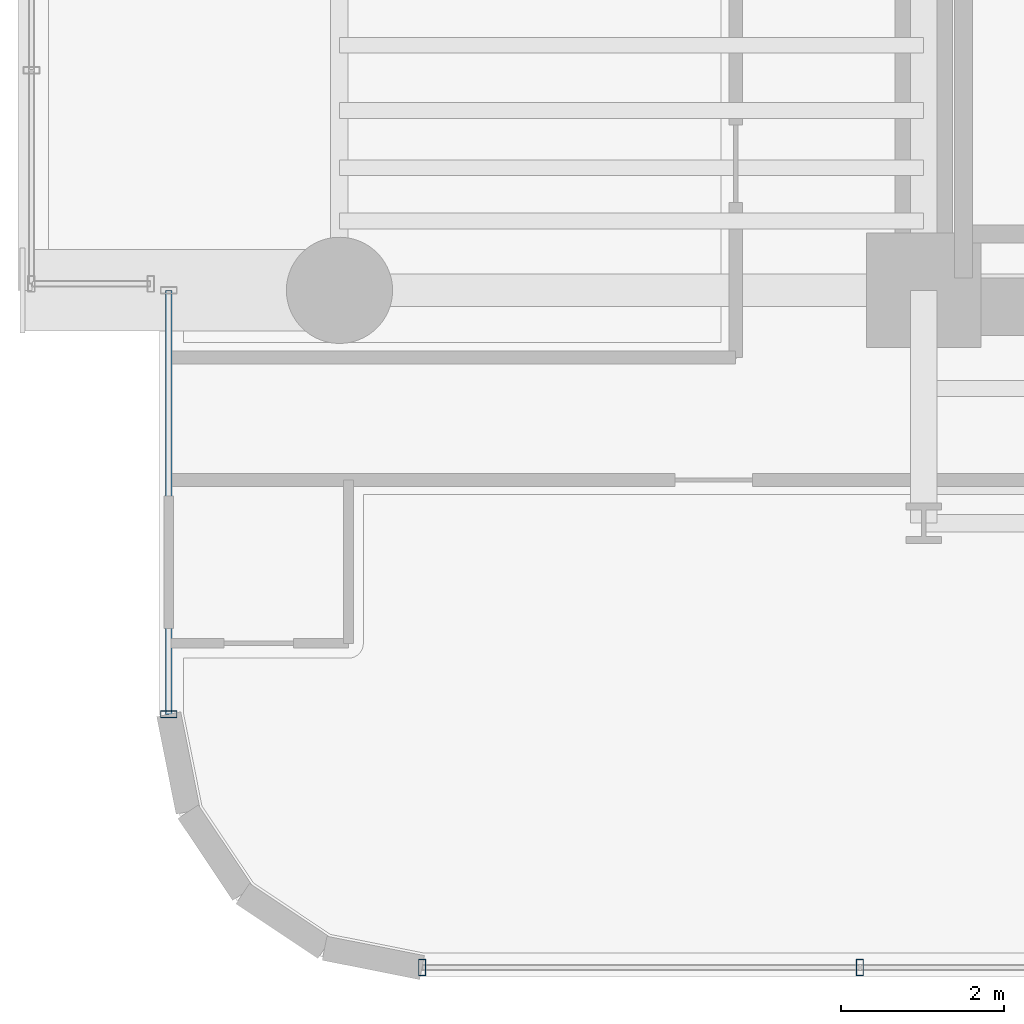
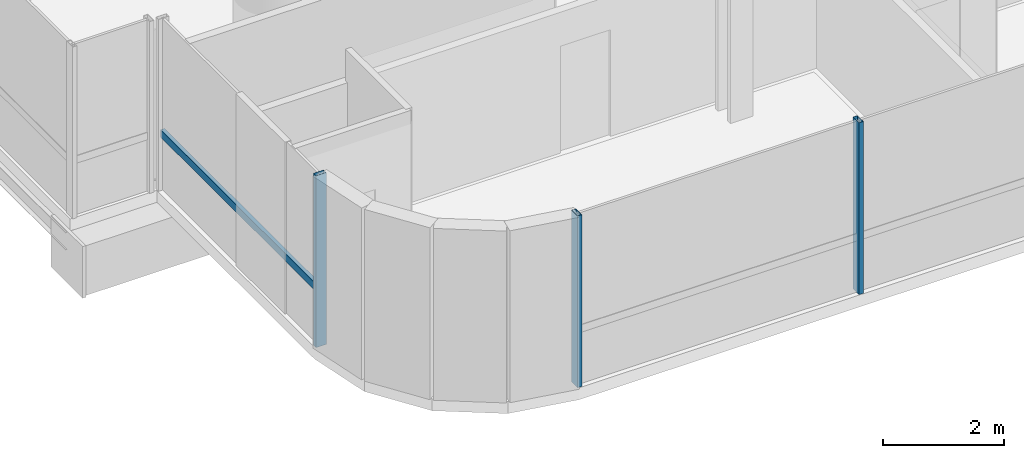
# One storey, part 2 of 41: 4 members, 2 elements without a shape of their own.
"""IFC4 building model written with IfcOpenShell, lengths in metres."""

from ifc_helpers import new_model, si_unit, direction, frame, origin, origin_2d, place, context, subcontext, project, spatial, hollow_rectangle, extrude, source, transform, mapped, material, material_profile, profile_set, type_object, element, aggregate, save


model = new_model("IFC4")

# Units and contexts
model_context = context("Model", 3, precision=1e-05, world=origin(), true_north=direction((0.0, 1.0)))
body_context = subcontext(model_context, "Body", "Model", "MODEL_VIEW")
ifc_project = project(units=[si_unit("LENGTHUNIT", "METRE"), si_unit("AREAUNIT", "SQUARE_METRE"), si_unit("VOLUMEUNIT", "CUBIC_METRE"), si_unit("PLANEANGLEUNIT", "RADIAN"), si_unit("MASSUNIT", "GRAM", prefix="KILO")], contexts=[model_context])

# Site, building, storey
site_placement = place(None, origin())
site = spatial("IfcSite", under=ifc_project, at=site_placement, CompositionType="ELEMENT")
building_placement = place(site_placement, origin())
building = spatial("IfcBuilding", under=site, at=building_placement, Name="Valdorenza Pilgrim Sanctuary Tower", CompositionType="ELEMENT")
storey_placement = place(building_placement, frame((0.0, 0.0, 59.300048828125)))
storey = spatial("IfcBuildingStorey", under=building, at=storey_placement, Name="L14", CompositionType="ELEMENT", Elevation=59.300048828125)

# Curtain wall, member
ifc_material_1 = material(Name="Curtain-wall IGU glazing", Category="glass")
curtain_wall_type = type_object("IfcCurtainWallType", Name="CW-SYS-02", PredefinedType="NOTDEFINED", material=ifc_material_1)
curtain_wall_1_placement = place(storey_placement, origin())
curtain_wall_1 = element("IfcCurtainWall", 1, at=curtain_wall_1_placement, inside=storey, type_object=curtain_wall_type, Name="L14 Curtain Wall CW-L14-1-1S1", PredefinedType="NOTDEFINED")
ifc_material_2 = material(Name="Anodised aluminium AW-6060", Category="aluminium")
ifc_material_profile_1 = material_profile(ifc_material_2, hollow_rectangle(XDim=0.0849609375, YDim=0.199951171875, WallThickness=0.0048828125, at=origin_2d()), Name="ALU-M 200x85x5")
ifc_profile_set_1 = profile_set([ifc_material_profile_1], Name="Anodised aluminium AW-6060")
member_type_1 = type_object("IfcMemberType", Name="CW-MUL-02", PredefinedType="MULLION", material=ifc_profile_set_1)
shared_shape_1 = source(origin(), body_context, "Body", "SweptSolid", [
    extrude(hollow_rectangle(XDim=0.0849609375, YDim=0.199951171875, WallThickness=0.0048828125, at=origin_2d()), origin(), (0.0, 0.0, 1.0), 3.4599609375),
])
member_1_placement = place(storey_placement, frame((-31.889892578125, -15.789306640625, 0.0), z_axis=(0.0, 0.0, 1.0), x_axis=(0.0, 1.0, 0.0)))
member_1 = element("IfcMember", 2, at=member_1_placement, type_object=member_type_1, Name="CW-L14-1-1S1 Mullion 1", PredefinedType="MULLION", context=body_context, shape_type="MappedRepresentation", body=[
    mapped(shared_shape_1, transform((0.0, 0.0, 0.0), x_axis=(1.0, 0.0, 0.0), y_axis=(0.0, 1.0, 0.0), z_axis=(0.0, 0.0, 1.0), scale=1.0)),
])

# Curtain wall, members
curtain_wall_2_placement = place(storey_placement, origin())
curtain_wall_2 = element("IfcCurtainWall", 3, at=curtain_wall_2_placement, inside=storey, type_object=curtain_wall_type, Name="L14 Curtain Wall CW-L14-1-46", PredefinedType="NOTDEFINED")
member_2_placement = place(storey_placement, frame((-23.4296875, -18.889892578125, 0.0), z_axis=(0.0, 0.0, 1.0), x_axis=(-1.0, 0.0, 0.0)))
member_2 = element("IfcMember", 4, at=member_2_placement, type_object=member_type_1, Name="CW-L14-1-46 Mullion 3", PredefinedType="MULLION", context=body_context, shape_type="MappedRepresentation", body=[
    mapped(shared_shape_1, transform((0.0, 0.0, 0.0), x_axis=(1.0, 0.0, 0.0), y_axis=(0.0, 1.0, 0.0), z_axis=(0.0, 0.0, 1.0), scale=1.0)),
])
member_3_placement = place(storey_placement, frame((-28.789306640625, -18.889892578125, 0.0), z_axis=(0.0, 0.0, 1.0), x_axis=(-1.0, 0.0, 0.0)))
member_3 = element("IfcMember", 5, at=member_3_placement, type_object=member_type_1, Name="CW-L14-1-46 Mullion 4", PredefinedType="MULLION", context=body_context, shape_type="MappedRepresentation", body=[
    mapped(shared_shape_1, transform((0.0, 0.0, 0.0), x_axis=(1.0, 0.0, 0.0), y_axis=(0.0, 1.0, 0.0), z_axis=(0.0, 0.0, 1.0), scale=1.0)),
])
aggregate(curtain_wall_2, [member_2, member_3])

# Member
ifc_material_profile_2 = material_profile(ifc_material_2, hollow_rectangle(XDim=0.074951171875, YDim=0.14990234375, WallThickness=0.00390625, at=origin_2d()), Name="ALU-T 150x75x4")
ifc_profile_set_2 = profile_set([ifc_material_profile_2], Name="Anodised aluminium AW-6060")
member_type_2 = type_object("IfcMemberType", Name="CW-TRN-02", PredefinedType="USERDEFINED", material=ifc_profile_set_2)
shared_shape_2 = source(origin(), body_context, "Body", "SweptSolid", [
    extrude(hollow_rectangle(XDim=0.074951171875, YDim=0.14990234375, WallThickness=0.00390625, at=origin_2d()), origin(), (0.0, 0.0, 1.0), 5.189208984375),
])
member_4_placement = place(storey_placement, frame((-31.889892578125, -15.789306640625, 1.119873046875), z_axis=(0.0, 1.0, 0.0), x_axis=(-1.0, 0.0, 0.0)))
member_4 = element("IfcMember", 6, at=member_4_placement, type_object=member_type_2, Name="CW-L14-1-1S1 Transom 1", ObjectType="TRANSOM", PredefinedType="USERDEFINED", context=body_context, shape_type="MappedRepresentation", body=[
    mapped(shared_shape_2, transform((0.0, 0.0, 0.0), x_axis=(1.0, 0.0, 0.0), y_axis=(0.0, 1.0, 0.0), z_axis=(0.0, 0.0, 1.0), scale=1.0)),
])

aggregate(curtain_wall_1, [member_1, member_4])

save(model, "model.ifc")
